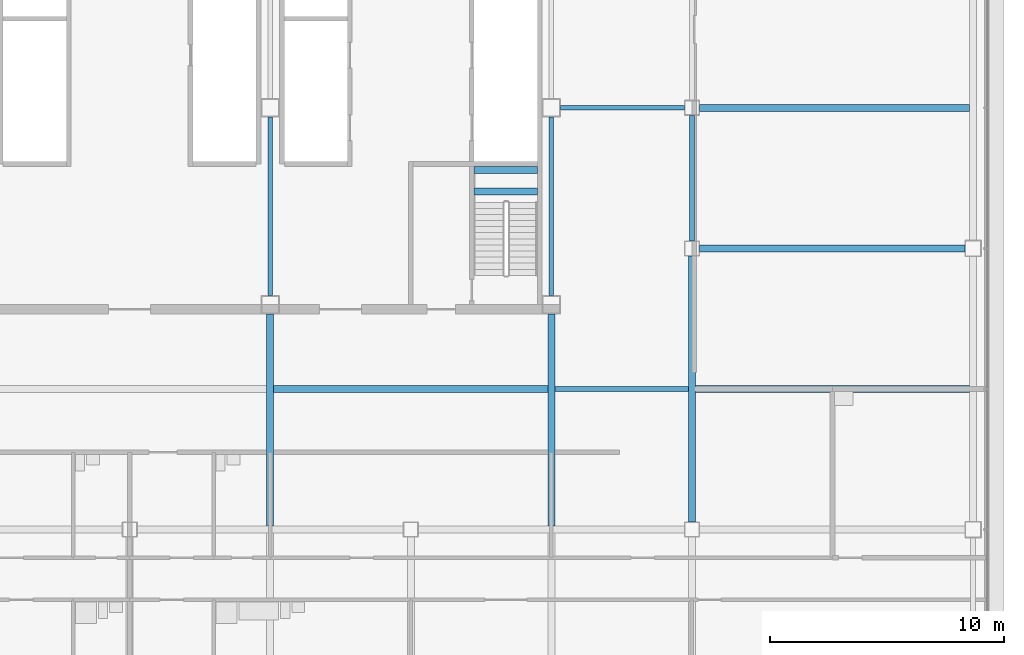
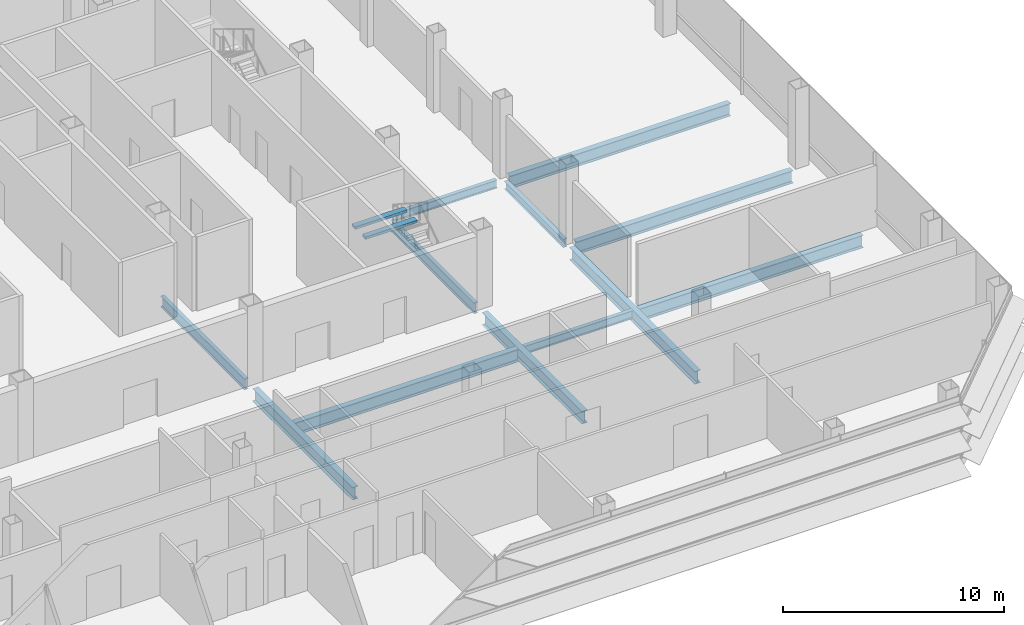
# One storey, part 10 of 26: 14 beams.
"""IFC4 building model written with IfcOpenShell, lengths in metres."""

from ifc_helpers import new_model, si_unit, direction, frame, origin, origin_2d, place, context, subcontext, project, spatial, rectangle, i_section, extrude, material, material_profile, profile_set, type_object, element, save


model = new_model("IFC4")

# Units and contexts
model_context = context("Model", 3, precision=1e-05, world=origin(), true_north=direction((0.0, 1.0)))
body_context = subcontext(model_context, "Body", "Model", "MODEL_VIEW")
ifc_project = project(units=[si_unit("LENGTHUNIT", "METRE"), si_unit("AREAUNIT", "SQUARE_METRE"), si_unit("VOLUMEUNIT", "CUBIC_METRE"), si_unit("PLANEANGLEUNIT", "RADIAN"), si_unit("MASSUNIT", "GRAM", prefix="KILO")], contexts=[model_context])

# Site, building, storey
site_placement = place(None, origin())
site = spatial("IfcSite", under=ifc_project, at=site_placement, CompositionType="ELEMENT")
building_placement = place(site_placement, origin())
building = spatial("IfcBuilding", under=site, at=building_placement, Name="Sorahane Residences", CompositionType="ELEMENT")
storey_placement = place(building_placement, frame((0.0, 0.0, 181.60009765625)))
storey = spatial("IfcBuildingStorey", under=building, at=storey_placement, Name="L42", CompositionType="ELEMENT", Elevation=181.60009765625)

# Beams
ifc_material_1 = material(Name="Concrete C40", Category="concrete")
ifc_material_profile_1 = material_profile(ifc_material_1, rectangle(XDim=0.300048828125, YDim=0.139892578125, at=origin_2d()), Name="300x140")
ifc_profile_set_1 = profile_set([ifc_material_profile_1], Name="Concrete C40")
beam_type_1 = type_object("IfcBeamType", Name="RC landing beam 300 x 140 Concrete C40", PredefinedType="BEAM", material=ifc_profile_set_1)
for number, where, z_axis, x_axis, name in (
    (1, (38.699951171875, 26.419921875, 1.929931640625), (1.0, 0.0, 0.0), (0.0, 1.0, 0.0), "Landing beam"),
    (2, (38.699951171875, 27.35009765625, 1.929931640625), (1.0, 0.0, 0.0), (0.0, 1.0, 0.0), "Landing beam"),
):
    element("IfcBeam", number, at=place(storey_placement, frame(where, z_axis=z_axis, x_axis=x_axis)), inside=storey, type_object=beam_type_1, Name=name, PredefinedType="BEAM", context=body_context, shape_type="SweptSolid", body=[
        extrude(rectangle(XDim=0.300048828125, YDim=0.139892578125, at=origin_2d()), origin(), (0.0, 0.0, 1.0), 2.699951171875),
    ])
ifc_material_2 = material(Name="Steel Q355B", Category="steel")
ifc_material_profile_2 = material_profile(ifc_material_2, i_section(OverallWidth=0.199951171875, OverallDepth=0.449951171875, WebThickness=0.009033203125, FlangeThickness=0.013916015625, FilletRadius=0.02001953125, at=origin_2d()), Name="HN 450x200x9x14")
ifc_profile_set_2 = profile_set([ifc_material_profile_2], Name="Steel Q355B")
beam_type_2 = type_object("IfcBeamType", Name="Steel floor beam HN 450x200x9x14 Q355B", PredefinedType="BEAM", material=ifc_profile_set_2)
beam_1_placement = place(storey_placement, frame((48.0, 24.324951171875, -0.405029296875), z_axis=(0.0, 1.0, 0.0), x_axis=(-1.0, 0.0, 0.0)))
element("IfcBeam", 3, at=beam_1_placement, inside=storey, type_object=beam_type_2, Name="Beam L42 060", PredefinedType="BEAM", context=body_context, shape_type="SweptSolid", body=[
    extrude(i_section(OverallWidth=0.199951171875, OverallDepth=0.449951171875, WebThickness=0.009033203125, FlangeThickness=0.013916015625, FilletRadius=0.02001953125, at=origin_2d()), origin(), (0.0, 0.0, 1.0), 5.35009765625),
])
beam_2_placement = place(storey_placement, frame((42.14990234375, 18.0, -0.405029296875), z_axis=(1.0, 0.0, 0.0), x_axis=(0.0, 1.0, 0.0)))
element("IfcBeam", 4, at=beam_2_placement, inside=storey, type_object=beam_type_2, Name="Beam L42 083", PredefinedType="BEAM", context=body_context, shape_type="SweptSolid", body=[
    extrude(i_section(OverallWidth=0.199951171875, OverallDepth=0.449951171875, WebThickness=0.009033203125, FlangeThickness=0.013916015625, FilletRadius=0.02001953125, at=origin_2d()), origin(), (0.0, 0.0, 1.0), 5.7001953125),
])
beam_3_placement = place(storey_placement, frame((42.39990234375, 30.0, -0.405029296875), z_axis=(1.0, 0.0, 0.0), x_axis=(0.0, 1.0, 0.0)))
element("IfcBeam", 5, at=beam_3_placement, inside=storey, type_object=beam_type_2, Name="Beam L42 087", PredefinedType="BEAM", context=body_context, shape_type="SweptSolid", body=[
    extrude(i_section(OverallWidth=0.199951171875, OverallDepth=0.449951171875, WebThickness=0.009033203125, FlangeThickness=0.013916015625, FilletRadius=0.02001953125, at=origin_2d()), origin(), (0.0, 0.0, 1.0), 5.275146484375),
])
ifc_material_3 = material(Name="Steel Q355B", Category="steel")
ifc_material_profile_3 = material_profile(ifc_material_3, i_section(OverallWidth=0.199951171875, OverallDepth=0.60009765625, WebThickness=0.010986328125, FlangeThickness=0.01708984375, FilletRadius=0.02392578125, at=origin_2d()), Name="HN 600x200x11x17")
ifc_profile_set_3 = profile_set([ifc_material_profile_3], Name="Steel Q355B")
beam_type_3 = type_object("IfcBeamType", Name="Steel floor beam HN 600x200x11x17 Q355B", PredefinedType="BEAM", material=ifc_profile_set_3)
for number, where, z_axis, x_axis, name in (
    (6, (30.0, 22.0, -0.47998046875), (0.0, 1.0, 0.0), (-1.0, 0.0, 0.0), "Beam L42 046"),
    (7, (42.0, 22.0, -0.47998046875), (0.0, 1.0, 0.0), (-1.0, 0.0, 0.0), "Beam L42 054"),
):
    element("IfcBeam", number, at=place(storey_placement, frame(where, z_axis=z_axis, x_axis=x_axis)), inside=storey, type_object=beam_type_3, Name=name, PredefinedType="BEAM", context=body_context, shape_type="SweptSolid", body=[
        extrude(i_section(OverallWidth=0.199951171875, OverallDepth=0.60009765625, WebThickness=0.010986328125, FlangeThickness=0.01708984375, FilletRadius=0.02392578125, at=origin_2d()), origin(), (0.0, 0.0, 1.0), 7.60009765625),
    ])
ifc_material_4 = material(Name="Steel Q355B", Category="steel")
ifc_material_profile_4 = material_profile(ifc_material_4, i_section(OverallWidth=0.300048828125, OverallDepth=0.699951171875, WebThickness=0.012939453125, FlangeThickness=0.02392578125, FilletRadius=0.028076171875, at=origin_2d()), Name="HN 700x300x13x24")
ifc_profile_set_4 = profile_set([ifc_material_profile_4], Name="Steel Q355B")
beam_type_4 = type_object("IfcBeamType", Name="Steel floor beam HN 700x300x13x24 Q355B", PredefinedType="BEAM", material=ifc_profile_set_4)
beam_4_placement = place(storey_placement, frame((48.324951171875, 24.0, -0.530029296875), z_axis=(1.0, 0.0, 0.0), x_axis=(0.0, 1.0, 0.0)))
element("IfcBeam", 8, at=beam_4_placement, inside=storey, type_object=beam_type_4, Name="Beam L42 012", PredefinedType="BEAM", context=body_context, shape_type="SweptSolid", body=[
    extrude(i_section(OverallWidth=0.300048828125, OverallDepth=0.699951171875, WebThickness=0.012939453125, FlangeThickness=0.02392578125, FilletRadius=0.028076171875, at=origin_2d()), origin(), (0.0, 0.0, 1.0), 11.324951171875),
])
for number, where, z_axis, x_axis, name in (
    (9, (30.0, 12.14990234375, -0.530029296875), (0.0, 1.0, 0.0), (-1.0, 0.0, 0.0), "Beam L42 045"),
    (10, (42.0, 12.14990234375, -0.530029296875), (0.0, 1.0, 0.0), (-1.0, 0.0, 0.0), "Beam L42 053"),
):
    element("IfcBeam", number, at=place(storey_placement, frame(where, z_axis=z_axis, x_axis=x_axis)), inside=storey, type_object=beam_type_4, Name=name, PredefinedType="BEAM", context=body_context, shape_type="SweptSolid", body=[
        extrude(i_section(OverallWidth=0.300048828125, OverallDepth=0.699951171875, WebThickness=0.012939453125, FlangeThickness=0.02392578125, FilletRadius=0.028076171875, at=origin_2d()), origin(), (0.0, 0.0, 1.0), 9.050048828125),
    ])
beam_5_placement = place(storey_placement, frame((48.0, 12.324951171875, -0.530029296875), z_axis=(0.0, 1.0, 0.0), x_axis=(-1.0, 0.0, 0.0)))
element("IfcBeam", 11, at=beam_5_placement, inside=storey, type_object=beam_type_4, Name="Beam L42 059", PredefinedType="BEAM", context=body_context, shape_type="SweptSolid", body=[
    extrude(i_section(OverallWidth=0.300048828125, OverallDepth=0.699951171875, WebThickness=0.012939453125, FlangeThickness=0.02392578125, FilletRadius=0.028076171875, at=origin_2d()), origin(), (0.0, 0.0, 1.0), 11.35009765625),
])
for number, where, z_axis, x_axis, name in (
    (12, (30.14990234375, 18.0, -0.530029296875), (1.0, 0.0, 0.0), (0.0, 1.0, 0.0), "Beam L42 082"),
    (13, (48.14990234375, 18.0, -0.530029296875), (1.0, 0.0, 0.0), (0.0, 1.0, 0.0), "Beam L42 084"),
):
    element("IfcBeam", number, at=place(storey_placement, frame(where, z_axis=z_axis, x_axis=x_axis)), inside=storey, type_object=beam_type_4, Name=name, PredefinedType="BEAM", context=body_context, shape_type="SweptSolid", body=[
        extrude(i_section(OverallWidth=0.300048828125, OverallDepth=0.699951171875, WebThickness=0.012939453125, FlangeThickness=0.02392578125, FilletRadius=0.028076171875, at=origin_2d()), origin(), (0.0, 0.0, 1.0), 11.7001953125),
    ])
beam_6_placement = place(storey_placement, frame((48.324951171875, 30.0, -0.530029296875), z_axis=(1.0, 0.0, 0.0), x_axis=(0.0, 1.0, 0.0)))
element("IfcBeam", 14, at=beam_6_placement, inside=storey, type_object=beam_type_4, Name="Beam L42 088", PredefinedType="BEAM", context=body_context, shape_type="SweptSolid", body=[
    extrude(i_section(OverallWidth=0.300048828125, OverallDepth=0.699951171875, WebThickness=0.012939453125, FlangeThickness=0.02392578125, FilletRadius=0.028076171875, at=origin_2d()), origin(), (0.0, 0.0, 1.0), 11.525146484375),
])

save(model, "model.ifc")
